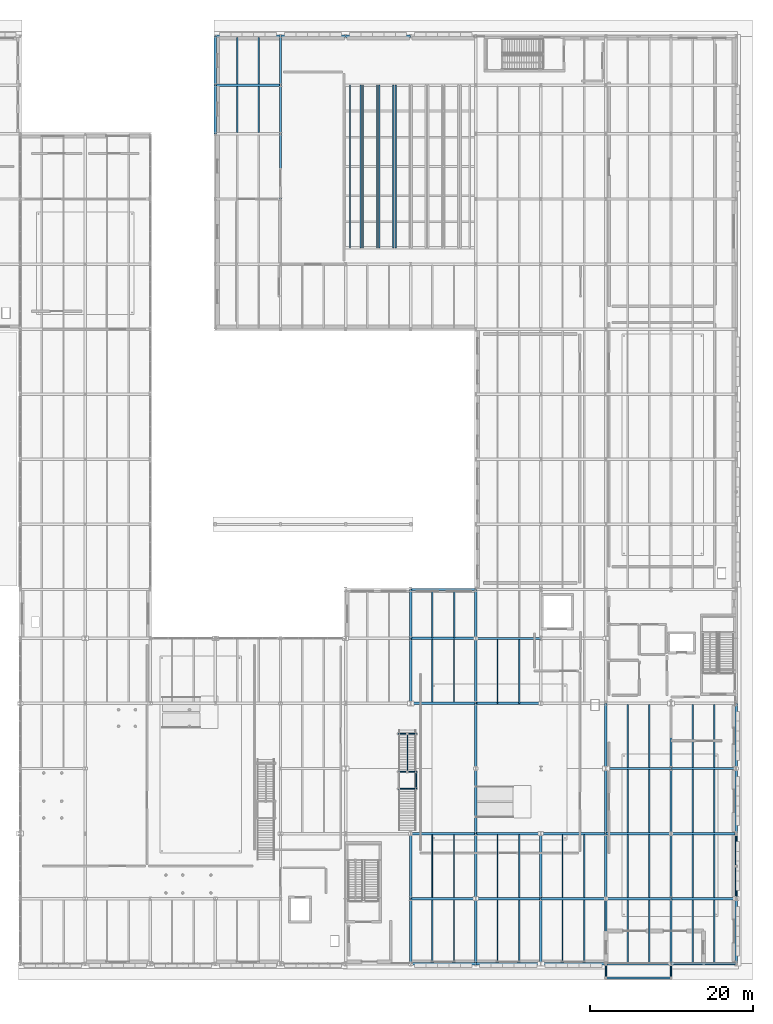
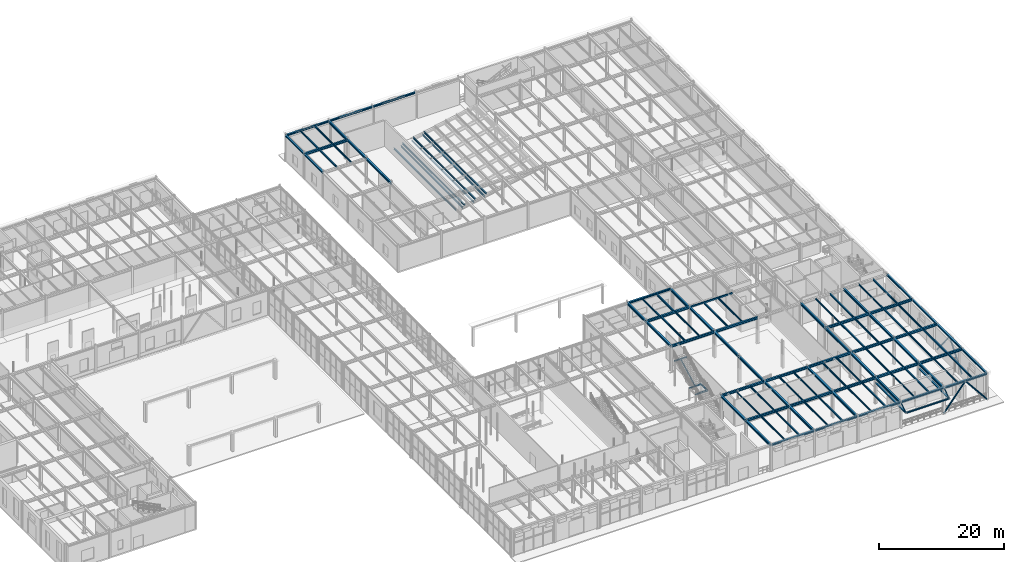
# One storey, part 56 of 129: 107 beams, 7 members.
"""IFC4 building model written with IfcOpenShell, lengths in metres."""

from ifc_helpers import new_model, si_unit, direction, frame, origin, origin_2d, place, context, subcontext, project, spatial, hollow_rectangle, hollow_circle, i_section, extrude, material, material_profile, profile_set, type_object, element, save


model = new_model("IFC4")

# Units and contexts
model_context = context("Model", 3, precision=1e-05, world=origin(), true_north=direction((0.0, 1.0)))
body_context = subcontext(model_context, "Body", "Model", "MODEL_VIEW")
ifc_project = project(units=[si_unit("LENGTHUNIT", "METRE"), si_unit("AREAUNIT", "SQUARE_METRE"), si_unit("VOLUMEUNIT", "CUBIC_METRE"), si_unit("PLANEANGLEUNIT", "RADIAN"), si_unit("MASSUNIT", "GRAM", prefix="KILO")], contexts=[model_context])

# Site, building, storey
site_placement = place(None, origin())
site = spatial("IfcSite", under=ifc_project, at=site_placement, CompositionType="ELEMENT")
building_placement = place(site_placement, origin())
building = spatial("IfcBuilding", under=site, at=building_placement, Name="Sundkrona Museum", CompositionType="ELEMENT")
storey_placement = place(building_placement, origin())
storey = spatial("IfcBuildingStorey", under=building, at=storey_placement, Name="L00", CompositionType="ELEMENT", Elevation=0.0)

# Beams
ifc_material_1 = material(Name="Steel S355J2", Category="steel")
ifc_material_profile_1 = material_profile(ifc_material_1, i_section(OverallWidth=0.239990234375, OverallDepth=0.22998046875, WebThickness=0.007568359375, FlangeThickness=0.011962890625, FilletRadius=0.02099609375, at=origin_2d()), Name="HEA 240")
ifc_profile_set_1 = profile_set([ifc_material_profile_1], Name="Steel S355J2")
beam_type_1 = type_object("IfcBeamType", Name="B-HEA240", PredefinedType="BEAM", material=ifc_profile_set_1)
beam_1_placement = place(storey_placement, frame((152.0, -1.75, 3.97998046875), z_axis=(1.0, 0.0, 0.0), x_axis=(0.0, 1.0, 0.0)))
element("IfcBeam", 1, at=beam_1_placement, inside=storey, type_object=beam_type_1, Name="Entrance Canopy Front Edge Beam", PredefinedType="BEAM", context=body_context, shape_type="SweptSolid", body=[
    extrude(i_section(OverallWidth=0.239990234375, OverallDepth=0.22998046875, WebThickness=0.007568359375, FlangeThickness=0.011962890625, FilletRadius=0.02099609375, at=origin_2d()), origin(), (0.0, 0.0, 1.0), 8.0),
])
for number, where, z_axis, x_axis, name in (
    (2, (152.0, -1.75, 3.97998046875), (0.0, 1.0, 0.0), (-1.0, 0.0, 0.0), "Entrance Canopy Back-Spanned Outrigger 1"),
    (3, (160.0, -1.75, 3.97998046875), (0.0, 1.0, 0.0), (-1.0, 0.0, 0.0), "Entrance Canopy Back-Spanned Outrigger 2"),
):
    element("IfcBeam", number, at=place(storey_placement, frame(where, z_axis=z_axis, x_axis=x_axis)), inside=storey, type_object=beam_type_1, Name=name, PredefinedType="BEAM", context=body_context, shape_type="SweptSolid", body=[
        extrude(i_section(OverallWidth=0.239990234375, OverallDepth=0.22998046875, WebThickness=0.007568359375, FlangeThickness=0.011962890625, FilletRadius=0.02099609375, at=origin_2d()), origin(), (0.0, 0.0, 1.0), 9.75),
    ])
ifc_material_profile_2 = material_profile(ifc_material_1, i_section(OverallWidth=0.300048828125, OverallDepth=0.43994140625, WebThickness=0.011474609375, FlangeThickness=0.02099609375, FilletRadius=0.027099609375, at=origin_2d()), Name="HEA 450")
ifc_profile_set_2 = profile_set([ifc_material_profile_2], Name="Steel S355J2")
beam_type_2 = type_object("IfcBeamType", Name="B-HEA450", PredefinedType="BEAM", material=ifc_profile_set_2)
for number, where, z_axis, x_axis, name in (
    (4, (128.0, 8.0, 4.93994140625), (1.0, 0.0, 0.0), (0.0, 1.0, 0.0), "L00 Girder X-0438"),
    (5, (136.0, 8.0, 4.93994140625), (1.0, 0.0, 0.0), (0.0, 1.0, 0.0), "L00 Girder X-0439"),
    (6, (144.0, 8.0, 4.93994140625), (1.0, 0.0, 0.0), (0.0, 1.0, 0.0), "L00 Girder X-0440"),
    (7, (160.0, 8.0, 4.93994140625), (1.0, 0.0, 0.0), (0.0, 1.0, 0.0), "L00 Girder X-0442"),
    (8, (128.0, 16.0, 4.93994140625), (1.0, 0.0, 0.0), (0.0, 1.0, 0.0), "L00 Girder X-0445"),
    (9, (136.0, 16.0, 4.93994140625), (1.0, 0.0, 0.0), (0.0, 1.0, 0.0), "L00 Girder X-0446"),
    (10, (144.0, 16.0, 4.93994140625), (1.0, 0.0, 0.0), (0.0, 1.0, 0.0), "L00 Girder X-0447"),
    (11, (152.0, 16.0, 4.93994140625), (1.0, 0.0, 0.0), (0.0, 1.0, 0.0), "L00 Girder X-0448"),
    (12, (160.0, 16.0, 4.93994140625), (1.0, 0.0, 0.0), (0.0, 1.0, 0.0), "L00 Girder X-0449"),
    (13, (152.0, 24.0, 4.93994140625), (1.0, 0.0, 0.0), (0.0, 1.0, 0.0), "L00 Girder X-0452"),
    (14, (160.0, 24.0, 4.93994140625), (1.0, 0.0, 0.0), (0.0, 1.0, 0.0), "L00 Girder X-0453"),
    (15, (128.0, 32.0, 4.93994140625), (1.0, 0.0, 0.0), (0.0, 1.0, 0.0), "L00 Girder X-0463"),
    (16, (136.0, 32.0, 4.93994140625), (1.0, 0.0, 0.0), (0.0, 1.0, 0.0), "L00 Girder X-0464"),
    (17, (128.0, 40.0, 4.93994140625), (1.0, 0.0, 0.0), (0.0, 1.0, 0.0), "L00 Girder X-0476"),
    (18, (104.0, 108.0, 4.830078125), (1.0, 0.0, 0.0), (0.0, 1.0, 0.0), "L00 Girder X-0592"),
    (19, (112.0, 94.0, 4.830078125), (0.0, 1.0, 0.0), (-1.0, 0.0, 0.0), "L00 Girder Y-0723"),
):
    element("IfcBeam", number, at=place(storey_placement, frame(where, z_axis=z_axis, x_axis=x_axis)), inside=storey, type_object=beam_type_2, Name=name, PredefinedType="BEAM", context=body_context, shape_type="SweptSolid", body=[
        extrude(i_section(OverallWidth=0.300048828125, OverallDepth=0.43994140625, WebThickness=0.011474609375, FlangeThickness=0.02099609375, FilletRadius=0.027099609375, at=origin_2d()), origin(), (0.0, 0.0, 1.0), 8.0),
    ])
for number, where, z_axis, x_axis, name in (
    (20, (112.0, 102.0, 4.830078125), (0.0, 1.0, 0.0), (-1.0, 0.0, 0.0), "L00 Girder Y-0724"),
    (21, (112.0, 108.0, 4.830078125), (0.0, 1.0, 0.0), (-1.0, 0.0, 0.0), "L00 Girder Y-0725"),
):
    element("IfcBeam", number, at=place(storey_placement, frame(where, z_axis=z_axis, x_axis=x_axis)), inside=storey, type_object=beam_type_2, Name=name, PredefinedType="BEAM", context=body_context, shape_type="SweptSolid", body=[
        extrude(i_section(OverallWidth=0.300048828125, OverallDepth=0.43994140625, WebThickness=0.011474609375, FlangeThickness=0.02099609375, FilletRadius=0.027099609375, at=origin_2d()), origin(), (0.0, 0.0, 1.0), 6.0),
    ])
for number, where, z_axis, x_axis, name in (
    (22, (128.0, 0.0, 4.93994140625), (0.0, 1.0, 0.0), (-1.0, 0.0, 0.0), "L00 Girder Y-0733"),
    (23, (128.0, 8.0, 4.93994140625), (0.0, 1.0, 0.0), (-1.0, 0.0, 0.0), "L00 Girder Y-0734"),
    (24, (128.0, 32.0, 4.93994140625), (0.0, 1.0, 0.0), (-1.0, 0.0, 0.0), "L00 Girder Y-0735"),
):
    element("IfcBeam", number, at=place(storey_placement, frame(where, z_axis=z_axis, x_axis=x_axis)), inside=storey, type_object=beam_type_2, Name=name, PredefinedType="BEAM", context=body_context, shape_type="SweptSolid", body=[
        extrude(i_section(OverallWidth=0.300048828125, OverallDepth=0.43994140625, WebThickness=0.011474609375, FlangeThickness=0.02099609375, FilletRadius=0.027099609375, at=origin_2d()), origin(), (0.0, 0.0, 1.0), 8.0),
    ])
beam_2_placement = place(storey_placement, frame((128.0, 40.0, 4.93994140625), z_axis=(0.0, 1.0, 0.0), x_axis=(-1.0, 0.0, 0.0)))
element("IfcBeam", 25, at=beam_2_placement, inside=storey, type_object=beam_type_2, Name="L00 Girder Y-0736", PredefinedType="BEAM", context=body_context, shape_type="SweptSolid", body=[
    extrude(i_section(OverallWidth=0.300048828125, OverallDepth=0.43994140625, WebThickness=0.011474609375, FlangeThickness=0.02099609375, FilletRadius=0.027099609375, at=origin_2d()), origin(), (0.0, 0.0, 1.0), 6.0),
])
for number, where, z_axis, x_axis, name in (
    (26, (136.0, 0.0, 4.93994140625), (0.0, 1.0, 0.0), (-1.0, 0.0, 0.0), "L00 Girder Y-0738"),
    (27, (136.0, 8.0, 4.93994140625), (0.0, 1.0, 0.0), (-1.0, 0.0, 0.0), "L00 Girder Y-0739"),
    (28, (136.0, 16.0, 4.93994140625), (0.0, 1.0, 0.0), (-1.0, 0.0, 0.0), "L00 Girder Y-0740"),
    (29, (136.0, 24.0, 4.93994140625), (0.0, 1.0, 0.0), (-1.0, 0.0, 0.0), "L00 Girder Y-0741"),
    (30, (136.0, 32.0, 4.93994140625), (0.0, 1.0, 0.0), (-1.0, 0.0, 0.0), "L00 Girder Y-0742"),
):
    element("IfcBeam", number, at=place(storey_placement, frame(where, z_axis=z_axis, x_axis=x_axis)), inside=storey, type_object=beam_type_2, Name=name, PredefinedType="BEAM", context=body_context, shape_type="SweptSolid", body=[
        extrude(i_section(OverallWidth=0.300048828125, OverallDepth=0.43994140625, WebThickness=0.011474609375, FlangeThickness=0.02099609375, FilletRadius=0.027099609375, at=origin_2d()), origin(), (0.0, 0.0, 1.0), 8.0),
    ])
beam_3_placement = place(storey_placement, frame((136.0, 40.0, 4.830078125), z_axis=(0.0, 1.0, 0.0), x_axis=(-1.0, 0.0, 0.0)))
element("IfcBeam", 31, at=beam_3_placement, inside=storey, type_object=beam_type_2, Name="L00 Girder Y-0743", PredefinedType="BEAM", context=body_context, shape_type="SweptSolid", body=[
    extrude(i_section(OverallWidth=0.300048828125, OverallDepth=0.43994140625, WebThickness=0.011474609375, FlangeThickness=0.02099609375, FilletRadius=0.027099609375, at=origin_2d()), origin(), (0.0, 0.0, 1.0), 6.0),
])
for number, where, z_axis, x_axis, name in (
    (32, (144.0, 0.0, 4.93994140625), (0.0, 1.0, 0.0), (-1.0, 0.0, 0.0), "L00 Girder Y-0753"),
    (33, (144.0, 8.0, 4.93994140625), (0.0, 1.0, 0.0), (-1.0, 0.0, 0.0), "L00 Girder Y-0754"),
    (34, (152.0, 0.0, 4.93994140625), (0.0, 1.0, 0.0), (-1.0, 0.0, 0.0), "L00 Girder Y-0765"),
    (35, (152.0, 8.0, 4.93994140625), (0.0, 1.0, 0.0), (-1.0, 0.0, 0.0), "L00 Girder Y-0766"),
    (36, (152.0, 16.0, 4.93994140625), (0.0, 1.0, 0.0), (-1.0, 0.0, 0.0), "L00 Girder Y-0767"),
    (37, (152.0, 24.0, 4.93994140625), (0.0, 1.0, 0.0), (-1.0, 0.0, 0.0), "L00 Girder Y-0768"),
    (38, (160.0, 0.0, 4.93994140625), (0.0, 1.0, 0.0), (-1.0, 0.0, 0.0), "L00 Girder Y-0780"),
    (39, (160.0, 8.0, 4.93994140625), (0.0, 1.0, 0.0), (-1.0, 0.0, 0.0), "L00 Girder Y-0781"),
    (40, (160.0, 16.0, 4.93994140625), (0.0, 1.0, 0.0), (-1.0, 0.0, 0.0), "L00 Girder Y-0782"),
    (41, (160.0, 24.0, 4.93994140625), (0.0, 1.0, 0.0), (-1.0, 0.0, 0.0), "L00 Girder Y-0783"),
):
    element("IfcBeam", number, at=place(storey_placement, frame(where, z_axis=z_axis, x_axis=x_axis)), inside=storey, type_object=beam_type_2, Name=name, PredefinedType="BEAM", context=body_context, shape_type="SweptSolid", body=[
        extrude(i_section(OverallWidth=0.300048828125, OverallDepth=0.43994140625, WebThickness=0.011474609375, FlangeThickness=0.02099609375, FilletRadius=0.027099609375, at=origin_2d()), origin(), (0.0, 0.0, 1.0), 8.0),
    ])
ifc_material_profile_3 = material_profile(ifc_material_1, i_section(OverallWidth=0.300048828125, OverallDepth=0.449951171875, WebThickness=0.013916015625, FlangeThickness=0.02587890625, FilletRadius=0.027099609375, at=origin_2d()), Name="HEB 450")
ifc_profile_set_3 = profile_set([ifc_material_profile_3], Name="Steel S355J2")
beam_type_3 = type_object("IfcBeamType", Name="B-HEB450", PredefinedType="BEAM", material=ifc_profile_set_3)
beam_4_placement = place(storey_placement, frame((152.0, 8.0, 4.93505859375), z_axis=(1.0, 0.0, 0.0), x_axis=(0.0, 1.0, 0.0)))
element("IfcBeam", 42, at=beam_4_placement, inside=storey, type_object=beam_type_3, Name="L00 Girder X-0441", PredefinedType="BEAM", context=body_context, shape_type="SweptSolid", body=[
    extrude(i_section(OverallWidth=0.300048828125, OverallDepth=0.449951171875, WebThickness=0.013916015625, FlangeThickness=0.02587890625, FilletRadius=0.027099609375, at=origin_2d()), origin(), (0.0, 0.0, 1.0), 8.0),
])
ifc_material_2 = material(Name="Steel S460M", Category="steel")
ifc_material_profile_4 = material_profile(ifc_material_2, hollow_rectangle(XDim=0.25, YDim=0.25, WallThickness=0.012451171875, at=origin_2d()), Name="SHS 250x250x12.5")
ifc_profile_set_4 = profile_set([ifc_material_profile_4], Name="Steel S460M")
beam_type_4 = type_object("IfcBeamType", Name="B-SHS250", PredefinedType="BEAM", material=ifc_profile_set_4)
beam_5_placement = place(storey_placement, frame((136.0, 40.0, 4.925048828125), z_axis=(1.0, 0.0, 0.0), x_axis=(0.0, 1.0, 0.0)))
element("IfcBeam", 43, at=beam_5_placement, inside=storey, type_object=beam_type_4, Name="L00 Girder X-0477", PredefinedType="BEAM", context=body_context, shape_type="SweptSolid", body=[
    extrude(hollow_rectangle(XDim=0.25, YDim=0.25, WallThickness=0.012451171875, at=origin_2d()), origin(), (0.0, 0.0, 1.0), 8.0),
])

# Members
ifc_material_profile_5 = material_profile(ifc_material_1, hollow_circle(Radius=0.136474609375, WallThickness=0.012451171875, at=origin_2d()), Name="CHS 273.0x12.5")
ifc_profile_set_5 = profile_set([ifc_material_profile_5], Name="Steel S355J2")
member_type_1 = type_object("IfcMemberType", Name="BR-CHS273", PredefinedType="BRACE", material=ifc_profile_set_5)
for number, where, z_axis, x_axis, name in (
    (44, (160.0, 0.0, 0.0), (0.629293246808, 0.0, 0.777167941645), (0.0, 1.0, 0.0), "CBR-1 L00 Concentric Chevron Brace 002A"),
    (45, (168.0, 0.0, 0.0), (-0.629293246808, 0.0, 0.777167941645), (0.0, -1.0, 0.0), "CBR-1 L00 Concentric Chevron Brace 002B"),
    (46, (168.0, 8.0, 0.0), (0.0, 0.629293246808, 0.777167941645), (-1.0, 0.0, 0.0), "CBR-1 L00 Concentric Chevron Brace 008A"),
    (47, (168.0, 16.0, 0.0), (0.0, -0.629293246808, 0.777167941645), (1.0, 0.0, 0.0), "CBR-1 L00 Concentric Chevron Brace 008B"),
):
    element("IfcMember", number, at=place(storey_placement, frame(where, z_axis=z_axis, x_axis=x_axis)), inside=storey, type_object=member_type_1, Name=name, PredefinedType="BRACE", context=body_context, shape_type="SweptSolid", body=[
        extrude(hollow_circle(Radius=0.136474609375, WallThickness=0.012451171875, at=origin_2d()), origin(), (0.0, 0.0, 1.0), 6.3564453125),
    ])
ifc_material_profile_6 = material_profile(ifc_material_1, i_section(OverallWidth=0.135009765625, OverallDepth=0.27001953125, WebThickness=0.006591796875, FlangeThickness=0.01025390625, FilletRadius=0.014892578125, at=origin_2d()), Name="IPE 270")
ifc_profile_set_6 = profile_set([ifc_material_profile_6], Name="Steel S355J2")
member_type_2 = type_object("IfcMemberType", Name="BR-IPE270", PredefinedType="BRACE", material=ifc_profile_set_6)
member_placement = place(storey_placement, frame((127.60009765625, 23.580078125, 2.3798828125), z_axis=(0.0, 0.883168320573, 0.469056198698), x_axis=(-1.0, 0.0, 0.0)))
element("IfcMember", 48, at=member_placement, inside=storey, type_object=member_type_2, Name="SRK-1 Feature Stair FS-5 Flight 2 Inclined Carriage Raker", PredefinedType="BRACE", context=body_context, shape_type="SweptSolid", body=[
    extrude(i_section(OverallWidth=0.135009765625, OverallDepth=0.27001953125, WebThickness=0.006591796875, FlangeThickness=0.01025390625, FilletRadius=0.014892578125, at=origin_2d()), origin(), (0.0, 0.0, 1.0), 5.28759765625),
])

# Beams
ifc_material_profile_7 = material_profile(ifc_material_1, i_section(OverallWidth=0.10009765625, OverallDepth=0.199951171875, WebThickness=0.005615234375, FlangeThickness=0.008544921875, FilletRadius=0.011962890625, at=origin_2d()), Name="IPE 200")
ifc_profile_set_7 = profile_set([ifc_material_profile_7], Name="Steel S355J2")
beam_type_5 = type_object("IfcBeamType", Name="J-IPE200", PredefinedType="JOIST", material=ifc_profile_set_7)
for number, where, z_axis, x_axis, name in (
    (49, (128.699951171875, 21.52001953125, 2.3798828125), (-1.0, 0.0, 0.0), (0.0, -1.0, 0.0), "Feature Stair FS-5 S1 Trimmer Beam"),
    (50, (128.699951171875, 23.580078125, 2.3798828125), (-1.0, 0.0, 0.0), (0.0, -1.0, 0.0), "Feature Stair FS-5 S2 Trimmer Beam"),
    (51, (128.699951171875, 28.25, 4.860107421875), (-1.0, 0.0, 0.0), (0.0, -1.0, 0.0), "Feature Stair FS-5 S3 Trimmer Beam"),
):
    element("IfcBeam", number, at=place(storey_placement, frame(where, z_axis=z_axis, x_axis=x_axis)), inside=storey, type_object=beam_type_5, Name=name, PredefinedType="JOIST", context=body_context, shape_type="SweptSolid", body=[
        extrude(i_section(OverallWidth=0.10009765625, OverallDepth=0.199951171875, WebThickness=0.005615234375, FlangeThickness=0.008544921875, FilletRadius=0.011962890625, at=origin_2d()), origin(), (0.0, 0.0, 1.0), 2.199951171875),
    ])
beam_6_placement = place(storey_placement, frame((128.699951171875, 21.52001953125, 2.3798828125), z_axis=(0.0, 1.0, 0.0), x_axis=(-1.0, 0.0, 0.0)))
element("IfcBeam", 52, at=beam_6_placement, inside=storey, type_object=beam_type_5, Name="Feature Stair FS-5 Landing Stringer L", PredefinedType="JOIST", context=body_context, shape_type="SweptSolid", body=[
    extrude(i_section(OverallWidth=0.10009765625, OverallDepth=0.199951171875, WebThickness=0.005615234375, FlangeThickness=0.008544921875, FilletRadius=0.011962890625, at=origin_2d()), origin(), (0.0, 0.0, 1.0), 2.06005859375),
])
ifc_material_profile_8 = material_profile(ifc_material_1, i_section(OverallWidth=0.1201171875, OverallDepth=0.239990234375, WebThickness=0.006103515625, FlangeThickness=0.009765625, FilletRadius=0.014892578125, at=origin_2d()), Name="IPE 240")
ifc_profile_set_8 = profile_set([ifc_material_profile_8], Name="Steel S355J2")
beam_type_6 = type_object("IfcBeamType", Name="J-IPE240", PredefinedType="JOIST", material=ifc_profile_set_8)
beam_7_placement = place(storey_placement, frame((130.666748046875, 8.14404296875, 5.0400390625), z_axis=(0.0, 1.0, 0.0), x_axis=(-1.0, 0.0, 0.0)))
element("IfcBeam", 53, at=beam_7_placement, inside=storey, type_object=beam_type_6, Name="L00 Composite Joist 0465", PredefinedType="JOIST", context=body_context, shape_type="SweptSolid", body=[
    extrude(i_section(OverallWidth=0.1201171875, OverallDepth=0.239990234375, WebThickness=0.006103515625, FlangeThickness=0.009765625, FilletRadius=0.014892578125, at=origin_2d()), origin(), (0.0, 0.0, 1.0), 7.7119140625),
])
ifc_material_profile_9 = material_profile(ifc_material_1, i_section(OverallWidth=0.14990234375, OverallDepth=0.300048828125, WebThickness=0.007080078125, FlangeThickness=0.0107421875, FilletRadius=0.014892578125, at=origin_2d()), Name="IPE 300")
ifc_profile_set_9 = profile_set([ifc_material_profile_9], Name="Steel S355J2")
beam_type_7 = type_object("IfcBeamType", Name="J-IPE300", PredefinedType="JOIST", material=ifc_profile_set_9)
beam_8_placement = place(storey_placement, frame((138.666748046875, 8.14404296875, 5.010009765625), z_axis=(0.0, 1.0, 0.0), x_axis=(-1.0, 0.0, 0.0)))
element("IfcBeam", 54, at=beam_8_placement, inside=storey, type_object=beam_type_7, Name="L00 Composite Joist 0475", PredefinedType="JOIST", context=body_context, shape_type="SweptSolid", body=[
    extrude(i_section(OverallWidth=0.14990234375, OverallDepth=0.300048828125, WebThickness=0.007080078125, FlangeThickness=0.0107421875, FilletRadius=0.014892578125, at=origin_2d()), origin(), (0.0, 0.0, 1.0), 7.7119140625),
])
ifc_material_profile_10 = material_profile(ifc_material_1, i_section(OverallWidth=0.159912109375, OverallDepth=0.330078125, WebThickness=0.007568359375, FlangeThickness=0.011474609375, FilletRadius=0.01806640625, at=origin_2d()), Name="IPE 330")
ifc_profile_set_10 = profile_set([ifc_material_profile_10], Name="Steel S355J2")
beam_type_8 = type_object("IfcBeamType", Name="J-IPE330", PredefinedType="JOIST", material=ifc_profile_set_10)
for number, where, z_axis, x_axis, name in (
    (55, (109.333251953125, 102.14404296875, 4.885009765625), (0.0, 1.0, 0.0), (-1.0, 0.0, 0.0), "L00 Composite Joist 0446"),
    (56, (106.666748046875, 108.14404296875, 4.885009765625), (0.0, 1.0, 0.0), (-1.0, 0.0, 0.0), "L00 Composite Joist 0447"),
    (57, (109.333251953125, 108.14404296875, 4.885009765625), (0.0, 1.0, 0.0), (-1.0, 0.0, 0.0), "L00 Composite Joist 0448"),
):
    element("IfcBeam", number, at=place(storey_placement, frame(where, z_axis=z_axis, x_axis=x_axis)), inside=storey, type_object=beam_type_8, Name=name, PredefinedType="JOIST", context=body_context, shape_type="SweptSolid", body=[
        extrude(i_section(OverallWidth=0.159912109375, OverallDepth=0.330078125, WebThickness=0.007568359375, FlangeThickness=0.011474609375, FilletRadius=0.01806640625, at=origin_2d()), origin(), (0.0, 0.0, 1.0), 5.7119140625),
    ])
for number, where, z_axis, x_axis, name in (
    (58, (130.666748046875, 0.14404296875, 4.9951171875), (0.0, 1.0, 0.0), (-1.0, 0.0, 0.0), "L00 Composite Joist 0463"),
    (59, (133.333251953125, 0.14404296875, 4.9951171875), (0.0, 1.0, 0.0), (-1.0, 0.0, 0.0), "L00 Composite Joist 0464"),
    (60, (133.333251953125, 8.14404296875, 4.9951171875), (0.0, 1.0, 0.0), (-1.0, 0.0, 0.0), "L00 Composite Joist 0466"),
    (61, (130.666748046875, 32.14404296875, 4.9951171875), (0.0, 1.0, 0.0), (-1.0, 0.0, 0.0), "L00 Composite Joist 0467"),
    (62, (133.333251953125, 32.14404296875, 4.9951171875), (0.0, 1.0, 0.0), (-1.0, 0.0, 0.0), "L00 Composite Joist 0468"),
):
    element("IfcBeam", number, at=place(storey_placement, frame(where, z_axis=z_axis, x_axis=x_axis)), inside=storey, type_object=beam_type_8, Name=name, PredefinedType="JOIST", context=body_context, shape_type="SweptSolid", body=[
        extrude(i_section(OverallWidth=0.159912109375, OverallDepth=0.330078125, WebThickness=0.007568359375, FlangeThickness=0.011474609375, FilletRadius=0.01806640625, at=origin_2d()), origin(), (0.0, 0.0, 1.0), 7.7119140625),
    ])
beam_9_placement = place(storey_placement, frame((130.666748046875, 40.014892578125, 4.885009765625), z_axis=(0.0, 1.0, 0.0), x_axis=(-1.0, 0.0, 0.0)))
element("IfcBeam", 63, at=beam_9_placement, inside=storey, type_object=beam_type_8, Name="L00 Composite Joist 0469", PredefinedType="JOIST", context=body_context, shape_type="SweptSolid", body=[
    extrude(i_section(OverallWidth=0.159912109375, OverallDepth=0.330078125, WebThickness=0.007568359375, FlangeThickness=0.011474609375, FilletRadius=0.01806640625, at=origin_2d()), origin(), (0.0, 0.0, 1.0), 5.841064453125),
])
for number, where, z_axis, x_axis, name in (
    (64, (138.666748046875, 0.14404296875, 4.9951171875), (0.0, 1.0, 0.0), (-1.0, 0.0, 0.0), "L00 Composite Joist 0473"),
    (65, (141.333251953125, 0.14404296875, 4.9951171875), (0.0, 1.0, 0.0), (-1.0, 0.0, 0.0), "L00 Composite Joist 0474"),
    (66, (141.333251953125, 8.14404296875, 4.9951171875), (0.0, 1.0, 0.0), (-1.0, 0.0, 0.0), "L00 Composite Joist 0476"),
):
    element("IfcBeam", number, at=place(storey_placement, frame(where, z_axis=z_axis, x_axis=x_axis)), inside=storey, type_object=beam_type_8, Name=name, PredefinedType="JOIST", context=body_context, shape_type="SweptSolid", body=[
        extrude(i_section(OverallWidth=0.159912109375, OverallDepth=0.330078125, WebThickness=0.007568359375, FlangeThickness=0.011474609375, FilletRadius=0.01806640625, at=origin_2d()), origin(), (0.0, 0.0, 1.0), 7.7119140625),
    ])
for number, where, z_axis, x_axis, name in (
    (67, (138.666748046875, 32.014892578125, 4.885009765625), (0.0, 1.0, 0.0), (-1.0, 0.0, 0.0), "L00 Composite Joist 0477"),
    (68, (141.333251953125, 32.014892578125, 4.885009765625), (0.0, 1.0, 0.0), (-1.0, 0.0, 0.0), "L00 Composite Joist 0478"),
):
    element("IfcBeam", number, at=place(storey_placement, frame(where, z_axis=z_axis, x_axis=x_axis)), inside=storey, type_object=beam_type_8, Name=name, PredefinedType="JOIST", context=body_context, shape_type="SweptSolid", body=[
        extrude(i_section(OverallWidth=0.159912109375, OverallDepth=0.330078125, WebThickness=0.007568359375, FlangeThickness=0.011474609375, FilletRadius=0.01806640625, at=origin_2d()), origin(), (0.0, 0.0, 1.0), 7.8662109375),
    ])
for number, where, z_axis, x_axis, name in (
    (69, (146.666748046875, 0.14404296875, 4.9951171875), (0.0, 1.0, 0.0), (-1.0, 0.0, 0.0), "L00 Composite Joist 0497"),
    (70, (149.333251953125, 0.14404296875, 4.9951171875), (0.0, 1.0, 0.0), (-1.0, 0.0, 0.0), "L00 Composite Joist 0498"),
    (71, (146.666748046875, 8.14404296875, 4.9951171875), (0.0, 1.0, 0.0), (-1.0, 0.0, 0.0), "L00 Composite Joist 0499"),
    (72, (149.333251953125, 8.14404296875, 4.9951171875), (0.0, 1.0, 0.0), (-1.0, 0.0, 0.0), "L00 Composite Joist 0500"),
    (73, (154.666748046875, 0.14404296875, 4.9951171875), (0.0, 1.0, 0.0), (-1.0, 0.0, 0.0), "L00 Composite Joist 0521"),
    (74, (157.333251953125, 0.14404296875, 4.9951171875), (0.0, 1.0, 0.0), (-1.0, 0.0, 0.0), "L00 Composite Joist 0522"),
    (75, (154.666748046875, 8.14404296875, 4.9951171875), (0.0, 1.0, 0.0), (-1.0, 0.0, 0.0), "L00 Composite Joist 0523"),
    (76, (157.333251953125, 8.14404296875, 4.9951171875), (0.0, 1.0, 0.0), (-1.0, 0.0, 0.0), "L00 Composite Joist 0524"),
    (77, (157.333251953125, 16.14404296875, 4.9951171875), (0.0, 1.0, 0.0), (-1.0, 0.0, 0.0), "L00 Composite Joist 0526"),
    (78, (154.666748046875, 24.14404296875, 4.9951171875), (0.0, 1.0, 0.0), (-1.0, 0.0, 0.0), "L00 Composite Joist 0527"),
    (79, (157.333251953125, 24.14404296875, 4.9951171875), (0.0, 1.0, 0.0), (-1.0, 0.0, 0.0), "L00 Composite Joist 0528"),
    (80, (162.666748046875, 0.14404296875, 4.9951171875), (0.0, 1.0, 0.0), (-1.0, 0.0, 0.0), "L00 Composite Joist 0547"),
    (81, (165.333251953125, 0.14404296875, 4.9951171875), (0.0, 1.0, 0.0), (-1.0, 0.0, 0.0), "L00 Composite Joist 0548"),
    (82, (162.666748046875, 8.14404296875, 4.9951171875), (0.0, 1.0, 0.0), (-1.0, 0.0, 0.0), "L00 Composite Joist 0549"),
    (83, (162.666748046875, 16.14404296875, 4.9951171875), (0.0, 1.0, 0.0), (-1.0, 0.0, 0.0), "L00 Composite Joist 0551"),
    (84, (165.333251953125, 16.14404296875, 4.9951171875), (0.0, 1.0, 0.0), (-1.0, 0.0, 0.0), "L00 Composite Joist 0552"),
    (85, (162.666748046875, 24.14404296875, 4.9951171875), (0.0, 1.0, 0.0), (-1.0, 0.0, 0.0), "L00 Composite Joist 0553"),
    (86, (165.333251953125, 24.14404296875, 4.9951171875), (0.0, 1.0, 0.0), (-1.0, 0.0, 0.0), "L00 Composite Joist 0554"),
):
    element("IfcBeam", number, at=place(storey_placement, frame(where, z_axis=z_axis, x_axis=x_axis)), inside=storey, type_object=beam_type_8, Name=name, PredefinedType="JOIST", context=body_context, shape_type="SweptSolid", body=[
        extrude(i_section(OverallWidth=0.159912109375, OverallDepth=0.330078125, WebThickness=0.007568359375, FlangeThickness=0.011474609375, FilletRadius=0.01806640625, at=origin_2d()), origin(), (0.0, 0.0, 1.0), 7.7119140625),
    ])
for number, where, z_axis, x_axis, name in (
    (87, (120.550048828125, 88.0, 0.205078125), (0.0, 1.0, 0.0), (-1.0, 0.0, 0.0), "Auditorium Tier 01 Support Beam"),
    (88, (121.85009765625, 88.0, 0.205078125), (0.0, 1.0, 0.0), (-1.0, 0.0, 0.0), "Auditorium Tier 01 Support Beam"),
    (89, (122.14990234375, 88.0, 0.625), (0.0, 1.0, 0.0), (-1.0, 0.0, 0.0), "Auditorium Tier 02 Support Beam"),
    (90, (123.85009765625, 88.0, 0.625), (0.0, 1.0, 0.0), (-1.0, 0.0, 0.0), "Auditorium Tier 02 Support Beam"),
    (91, (124.14990234375, 88.0, 1.044921875), (0.0, 1.0, 0.0), (-1.0, 0.0, 0.0), "Auditorium Tier 03 Support Beam"),
    (92, (125.85009765625, 88.0, 1.044921875), (0.0, 1.0, 0.0), (-1.0, 0.0, 0.0), "Auditorium Tier 03 Support Beam"),
    (93, (126.14990234375, 88.0, 1.465087890625), (0.0, 1.0, 0.0), (-1.0, 0.0, 0.0), "Auditorium Tier 04 Support Beam"),
):
    element("IfcBeam", number, at=place(storey_placement, frame(where, z_axis=z_axis, x_axis=x_axis)), inside=storey, type_object=beam_type_8, Name=name, PredefinedType="JOIST", context=body_context, shape_type="SweptSolid", body=[
        extrude(i_section(OverallWidth=0.159912109375, OverallDepth=0.330078125, WebThickness=0.007568359375, FlangeThickness=0.011474609375, FilletRadius=0.01806640625, at=origin_2d()), origin(), (0.0, 0.0, 1.0), 20.0),
    ])
ifc_material_profile_11 = material_profile(ifc_material_1, i_section(OverallWidth=0.169921875, OverallDepth=0.360107421875, WebThickness=0.008056640625, FlangeThickness=0.0126953125, FilletRadius=0.01806640625, at=origin_2d()), Name="IPE 360")
ifc_profile_set_11 = profile_set([ifc_material_profile_11], Name="Steel S355J2")
beam_type_9 = type_object("IfcBeamType", Name="J-IPE360", PredefinedType="JOIST", material=ifc_profile_set_11)
beam_10_placement = place(storey_placement, frame((106.666748046875, 102.14404296875, 4.8701171875), z_axis=(0.0, 1.0, 0.0), x_axis=(-1.0, 0.0, 0.0)))
element("IfcBeam", 94, at=beam_10_placement, inside=storey, type_object=beam_type_9, Name="L00 Composite Joist 0445", PredefinedType="JOIST", context=body_context, shape_type="SweptSolid", body=[
    extrude(i_section(OverallWidth=0.169921875, OverallDepth=0.360107421875, WebThickness=0.008056640625, FlangeThickness=0.0126953125, FilletRadius=0.01806640625, at=origin_2d()), origin(), (0.0, 0.0, 1.0), 5.7119140625),
])
beam_11_placement = place(storey_placement, frame((154.666748046875, 16.14404296875, 4.97998046875), z_axis=(0.0, 1.0, 0.0), x_axis=(-1.0, 0.0, 0.0)))
element("IfcBeam", 95, at=beam_11_placement, inside=storey, type_object=beam_type_9, Name="L00 Composite Joist 0525", PredefinedType="JOIST", context=body_context, shape_type="SweptSolid", body=[
    extrude(i_section(OverallWidth=0.169921875, OverallDepth=0.360107421875, WebThickness=0.008056640625, FlangeThickness=0.0126953125, FilletRadius=0.01806640625, at=origin_2d()), origin(), (0.0, 0.0, 1.0), 7.7119140625),
])
ifc_material_profile_12 = material_profile(ifc_material_1, i_section(OverallWidth=0.179931640625, OverallDepth=0.39990234375, WebThickness=0.008544921875, FlangeThickness=0.013427734375, FilletRadius=0.02099609375, at=origin_2d()), Name="IPE 400")
ifc_profile_set_12 = profile_set([ifc_material_profile_12], Name="Steel S355J2")
beam_type_10 = type_object("IfcBeamType", Name="J-IPE400", PredefinedType="JOIST", material=ifc_profile_set_12)
beam_12_placement = place(storey_placement, frame((133.333251953125, 40.014892578125, 4.85009765625), z_axis=(0.0, 1.0, 0.0), x_axis=(-1.0, 0.0, 0.0)))
element("IfcBeam", 96, at=beam_12_placement, inside=storey, type_object=beam_type_10, Name="L00 Composite Joist 0470", PredefinedType="JOIST", context=body_context, shape_type="SweptSolid", body=[
    extrude(i_section(OverallWidth=0.179931640625, OverallDepth=0.39990234375, WebThickness=0.008544921875, FlangeThickness=0.013427734375, FilletRadius=0.02099609375, at=origin_2d()), origin(), (0.0, 0.0, 1.0), 5.841064453125),
])
beam_13_placement = place(storey_placement, frame((165.333251953125, 8.14404296875, 4.9599609375), z_axis=(0.0, 1.0, 0.0), x_axis=(-1.0, 0.0, 0.0)))
element("IfcBeam", 97, at=beam_13_placement, inside=storey, type_object=beam_type_10, Name="L00 Composite Joist 0550", PredefinedType="JOIST", context=body_context, shape_type="SweptSolid", body=[
    extrude(i_section(OverallWidth=0.179931640625, OverallDepth=0.39990234375, WebThickness=0.008544921875, FlangeThickness=0.013427734375, FilletRadius=0.02099609375, at=origin_2d()), origin(), (0.0, 0.0, 1.0), 7.7119140625),
])
ifc_material_profile_13 = material_profile(ifc_material_1, i_section(OverallWidth=0.300048828125, OverallDepth=0.320068359375, WebThickness=0.011474609375, FlangeThickness=0.0205078125, FilletRadius=0.027099609375, at=origin_2d()), Name="HEB 320")
ifc_profile_set_13 = profile_set([ifc_material_profile_13], Name="Steel S355J2")
beam_type_11 = type_object("IfcBeamType", Name="SP-HEB320", PredefinedType="SPANDREL", material=ifc_profile_set_13)
for number, where, z_axis, x_axis, name in (
    (98, (128.0, 0.0, 5.0), (1.0, 0.0, 0.0), (0.0, 1.0, 0.0), "L00 Girder X-0429"),
    (99, (136.0, 0.0, 5.0), (1.0, 0.0, 0.0), (0.0, 1.0, 0.0), "L00 Girder X-0430"),
    (100, (144.0, 0.0, 5.0), (1.0, 0.0, 0.0), (0.0, 1.0, 0.0), "L00 Girder X-0431"),
    (101, (152.0, 0.0, 5.0), (1.0, 0.0, 0.0), (0.0, 1.0, 0.0), "L00 Girder X-0432"),
    (102, (160.0, 0.0, 5.0), (1.0, 0.0, 0.0), (0.0, 1.0, 0.0), "L00 Girder X-0433"),
    (103, (128.0, 46.0, 4.889892578125), (1.0, 0.0, 0.0), (0.0, 1.0, 0.0), "L00 Girder X-0485"),
    (104, (104.0, 114.0, 4.889892578125), (1.0, 0.0, 0.0), (0.0, 1.0, 0.0), "L00 Girder X-0607"),
    (105, (112.0, 114.0, 4.889892578125), (1.0, 0.0, 0.0), (0.0, 1.0, 0.0), "L00 Girder X-0608"),
    (106, (120.0, 114.0, 4.889892578125), (1.0, 0.0, 0.0), (0.0, 1.0, 0.0), "L00 Girder X-0609"),
):
    element("IfcBeam", number, at=place(storey_placement, frame(where, z_axis=z_axis, x_axis=x_axis)), inside=storey, type_object=beam_type_11, Name=name, PredefinedType="SPANDREL", context=body_context, shape_type="SweptSolid", body=[
        extrude(i_section(OverallWidth=0.300048828125, OverallDepth=0.320068359375, WebThickness=0.011474609375, FlangeThickness=0.0205078125, FilletRadius=0.027099609375, at=origin_2d()), origin(), (0.0, 0.0, 1.0), 8.0),
    ])
for number, where, z_axis, x_axis, name in (
    (107, (104.0, 102.0, 4.889892578125), (0.0, 1.0, 0.0), (-1.0, 0.0, 0.0), "L00 Girder Y-0714"),
    (108, (104.0, 108.0, 4.889892578125), (0.0, 1.0, 0.0), (-1.0, 0.0, 0.0), "L00 Girder Y-0715"),
):
    element("IfcBeam", number, at=place(storey_placement, frame(where, z_axis=z_axis, x_axis=x_axis)), inside=storey, type_object=beam_type_11, Name=name, PredefinedType="SPANDREL", context=body_context, shape_type="SweptSolid", body=[
        extrude(i_section(OverallWidth=0.300048828125, OverallDepth=0.320068359375, WebThickness=0.011474609375, FlangeThickness=0.0205078125, FilletRadius=0.027099609375, at=origin_2d()), origin(), (0.0, 0.0, 1.0), 6.0),
    ])
for number, where, z_axis, x_axis, name in (
    (109, (168.0, 0.0, 5.0), (0.0, 1.0, 0.0), (-1.0, 0.0, 0.0), "L00 Girder Y-0793"),
    (110, (168.0, 8.0, 5.0), (0.0, 1.0, 0.0), (-1.0, 0.0, 0.0), "L00 Girder Y-0794"),
    (111, (168.0, 16.0, 5.0), (0.0, 1.0, 0.0), (-1.0, 0.0, 0.0), "L00 Girder Y-0795"),
    (112, (168.0, 24.0, 5.0), (0.0, 1.0, 0.0), (-1.0, 0.0, 0.0), "L00 Girder Y-0796"),
):
    element("IfcBeam", number, at=place(storey_placement, frame(where, z_axis=z_axis, x_axis=x_axis)), inside=storey, type_object=beam_type_11, Name=name, PredefinedType="SPANDREL", context=body_context, shape_type="SweptSolid", body=[
        extrude(i_section(OverallWidth=0.300048828125, OverallDepth=0.320068359375, WebThickness=0.011474609375, FlangeThickness=0.0205078125, FilletRadius=0.027099609375, at=origin_2d()), origin(), (0.0, 0.0, 1.0), 8.0),
    ])

# Members
ifc_material_profile_14 = material_profile(ifc_material_1, hollow_circle(Radius=0.084228515625, WallThickness=0.008056640625, at=origin_2d()), Name="CHS 168.3x8.0")
ifc_profile_set_14 = profile_set([ifc_material_profile_14], Name="Steel S355J2")
member_type_3 = type_object("IfcMemberType", Name="ST-CHS168", PredefinedType="STRUT", material=ifc_profile_set_14)
for number, where, z_axis, x_axis, name in (
    (113, (152.0, -1.75, 3.97998046875), (0.0, 0.842245792271, 0.539093707441), (-1.0, 0.0, 0.0), "STR-1 Entrance Canopy Tie Strut 1"),
    (114, (160.0, -1.75, 3.97998046875), (0.0, 0.842245792271, 0.539093707441), (-1.0, 0.0, 0.0), "STR-1 Entrance Canopy Tie Strut 2"),
):
    element("IfcMember", number, at=place(storey_placement, frame(where, z_axis=z_axis, x_axis=x_axis)), inside=storey, type_object=member_type_3, Name=name, PredefinedType="STRUT", context=body_context, shape_type="SweptSolid", body=[
        extrude(hollow_circle(Radius=0.084228515625, WallThickness=0.008056640625, at=origin_2d()), origin(), (0.0, 0.0, 1.0), 2.077880859375),
    ])

save(model, "model.ifc")
